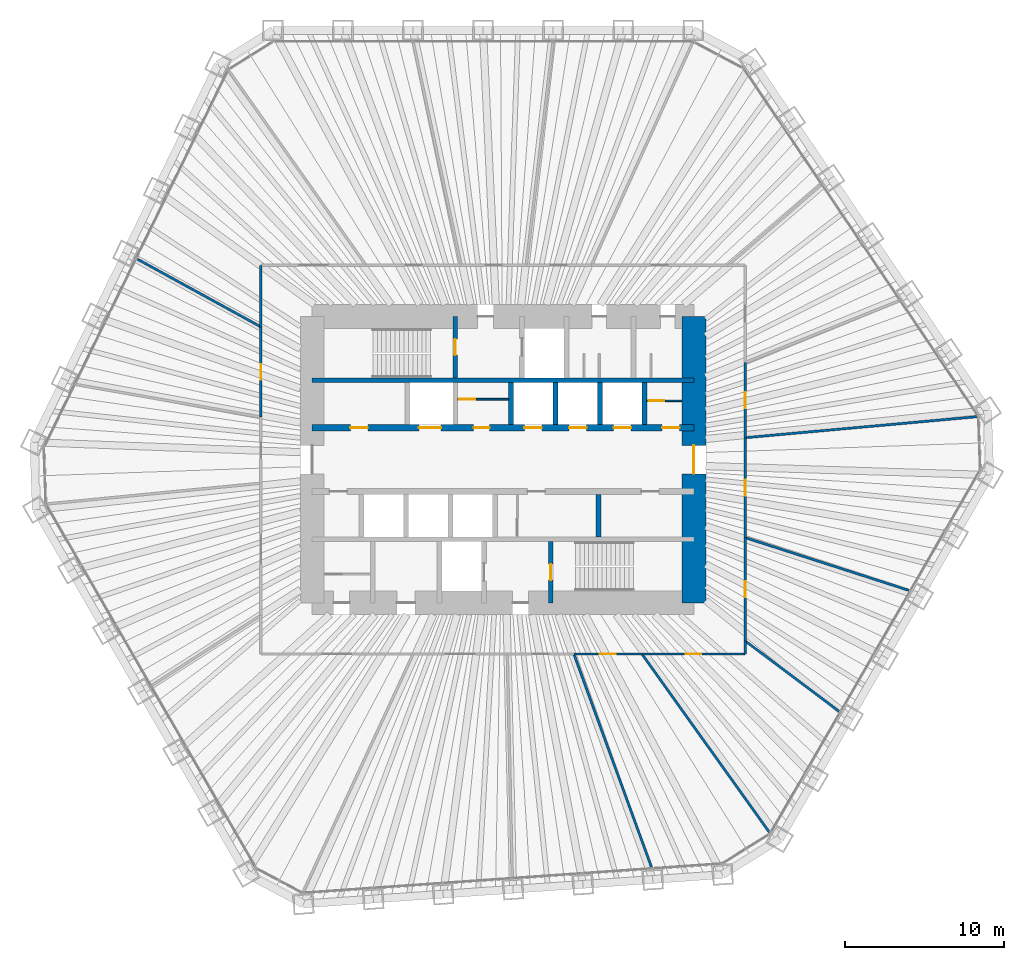
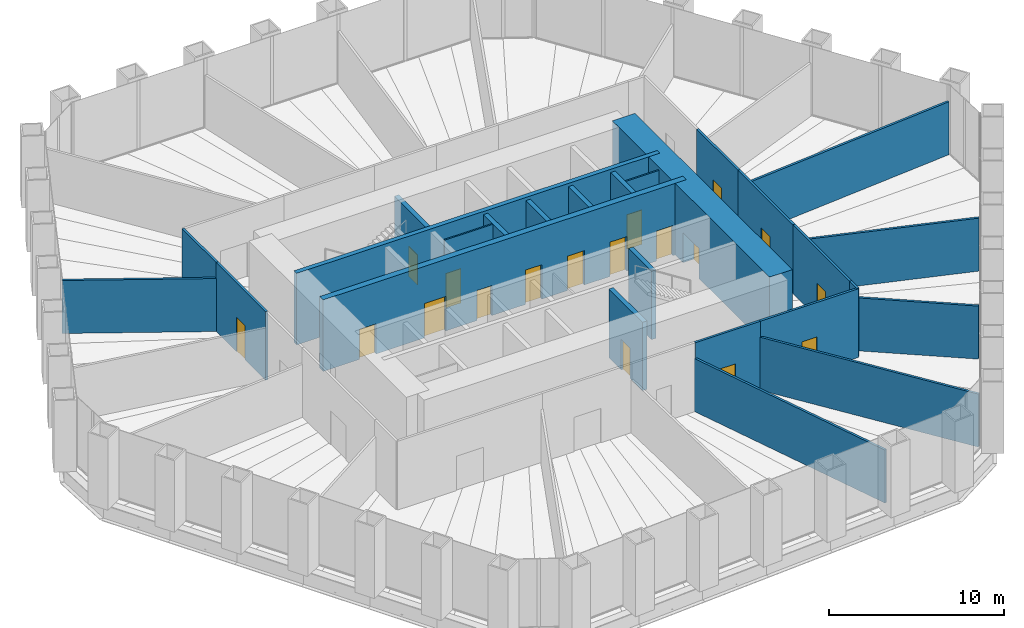
# One storey, part 11 of 13: 26 walls, 18 doors, 18 openings.
"""IFC4 building model written with IfcOpenShell, lengths in metres."""

import ifcopenshell
import ifcopenshell.guid

model = None  # the IFC model being written
_history = None  # IfcOwnerHistory: only IFC2X3 demands one
_inside = {}  # id of a spatial element -> (the spatial element, [elements in it])
_under = {}  # id of a project, library or spatial element -> (it, [spatial elements below it])
_declared = {}  # id of a project -> (the project, [libraries it declares])
_typed = {}  # id of a type object -> (the type object, [elements of that type])
_made_of = {}  # id of a material, layer set ... -> (it, [elements and type objects made of it])


def new_model(schema):
    """Start an empty IFC model of exactly this schema.

    Asked for "IFC4X3", IfcOpenShell would pick the latest addendum, in which some entities
    have other attributes; the version numbers below select the first issue.
    IFC2X3 requires an IfcOwnerHistory on every rooted entity: one is made here for all.
    """
    global model, _history
    if schema == "IFC4X3":
        model = ifcopenshell.file(schema_version=(4, 3, 0, 0))
    else:
        model = ifcopenshell.file(schema=schema)
    _inside.clear()
    _under.clear()
    _declared.clear()
    _typed.clear()
    _made_of.clear()
    _history = None
    if model.schema == "IFC2X3":
        org = make("IfcOrganization", Name="unknown")
        user = make(
            "IfcPersonAndOrganization",
            ThePerson=make("IfcPerson", FamilyName="unknown"),
            TheOrganization=org,
        )
        app = make(
            "IfcApplication",
            ApplicationDeveloper=org,
            Version="unknown",
            ApplicationFullName="unknown",
            ApplicationIdentifier="unknown",
        )
        _history = make(
            "IfcOwnerHistory",
            OwningUser=user,
            OwningApplication=app,
            ChangeAction="ADDED",
            CreationDate=0,
        )
    return model


def make(cls, **values):
    """One entity of the class cls with the attributes given. An attribute that is None is left unset."""
    return model.create_entity(
        cls, **{name: value for name, value in values.items() if value is not None}
    )


def rooted(cls, **values):
    """An entity with a GlobalId (a new one), such as an element, a storey or a relation."""
    return make(cls, GlobalId=ifcopenshell.guid.new(), OwnerHistory=_history, **values)


def si_unit(unit_type, name, prefix=None):
    """IfcSIUnit, for example si_unit("LENGTHUNIT", "METRE", prefix="MILLI")."""
    return make("IfcSIUnit", UnitType=unit_type, Prefix=prefix, Name=name)


def assignment(units):
    """IfcUnitAssignment: the units of a project."""
    return None if units is None else make("IfcUnitAssignment", Units=units)


def point(xyz):
    """IfcCartesianPoint."""
    return None if xyz is None else make("IfcCartesianPoint", Coordinates=xyz)


def direction(xyz):
    """IfcDirection."""
    return None if xyz is None else make("IfcDirection", DirectionRatios=xyz)


def frame(location, z_axis=None, x_axis=None):
    """IfcAxis2Placement3D, a coordinate frame: its origin and axes. An axis left out is left unset."""
    return make(
        "IfcAxis2Placement3D",
        Location=point(location),
        Axis=direction(z_axis),
        RefDirection=direction(x_axis),
    )


def frame_2d(location, x_axis=None):
    """IfcAxis2Placement2D, a coordinate frame in the plane: its origin and x axis."""
    return make(
        "IfcAxis2Placement2D", Location=point(location), RefDirection=direction(x_axis)
    )


def origin():
    """The frame at (0, 0, 0) with its axes left unset."""
    return frame((0.0, 0.0, 0.0))


def place(relative_to, where):
    """IfcLocalPlacement: puts the frame where relative to a parent placement (None: the world)."""
    return make(
        "IfcLocalPlacement", PlacementRelTo=relative_to, RelativePlacement=where
    )


def context(
    kind, dimensions, precision=None, world=None, true_north=None, identifier=None
):
    """IfcGeometricRepresentationContext, for example the 3D "Model" context."""
    return make(
        "IfcGeometricRepresentationContext",
        ContextIdentifier=identifier,
        ContextType=kind,
        CoordinateSpaceDimension=dimensions,
        Precision=precision,
        WorldCoordinateSystem=world,
        TrueNorth=true_north,
    )


def subcontext(parent, identifier, kind, view, scale=None):
    """IfcGeometricRepresentationSubContext, for example "Body" below "Model"."""
    return make(
        "IfcGeometricRepresentationSubContext",
        ContextIdentifier=identifier,
        ContextType=kind,
        ParentContext=parent,
        TargetScale=scale,
        TargetView=view,
    )


def project(units=None, contexts=None):
    """IfcProject with its units and contexts."""
    return rooted(
        "IfcProject",
        Name="project",
        RepresentationContexts=contexts,
        UnitsInContext=assignment(units),
    )


def spatial(cls, under=None, at=None, **own):
    """A site, building, storey or space (cls), placed at a placement, below another one or the project."""
    s = rooted(cls, ObjectPlacement=at, **own)
    if under is not None:
        _under.setdefault(under.id(), (under, []))[1].append(s)
    return s


def profile(cls, at=None, kind="AREA", **sizes):
    """A parametric profile (cls). Its sizes go by their IFC names, for example OverallWidth=200.0."""
    return make(cls, ProfileType=kind, Position=at, **sizes)


def rectangle(**sizes):
    """IfcRectangleProfileDef."""
    return profile("IfcRectangleProfileDef", **sizes)


def extrude(swept, where, along, depth):
    """IfcExtrudedAreaSolid: the profile swept, set in the frame where, extruded along a direction by depth."""
    return make(
        "IfcExtrudedAreaSolid",
        SweptArea=swept,
        Position=where,
        ExtrudedDirection=direction(along),
        Depth=depth,
    )


def shape(context_of_items, identifier, shape_type, items):
    """IfcShapeRepresentation: the items that make up one representation, for example the "Body"."""
    return make(
        "IfcShapeRepresentation",
        ContextOfItems=context_of_items,
        RepresentationIdentifier=identifier,
        RepresentationType=shape_type,
        Items=items,
    )


def material(Name=None, Category=None):
    """IfcMaterial."""
    return make("IfcMaterial", Name=Name, Category=Category)


def layer(
    of_material, thickness, ventilated=None, Name=None, Category=None, Priority=None
):
    """IfcMaterialLayer: one layer of a wall or slab, of a material (None: an air gap)."""
    return make(
        "IfcMaterialLayer",
        Material=of_material,
        LayerThickness=thickness,
        IsVentilated=ventilated,
        Name=Name,
        Category=Category,
        Priority=Priority,
    )


def layer_set(layers, Name=None):
    """IfcMaterialLayerSet."""
    return make("IfcMaterialLayerSet", MaterialLayers=layers, LayerSetName=Name)


def made_of(thing, what):
    """Note that an element or type object is made of a material, layer set ...; save() writes the relation."""
    if what is not None:
        _made_of.setdefault(what.id(), (what, []))[1].append(thing)
    return thing


def type_object(cls, material=None, **own):
    """A type object (cls), such as IfcWallType, which elements share."""
    return made_of(rooted(cls, **own), material)


def element(
    cls,
    number,
    at=None,
    inside=None,
    cuts=None,
    type_object=None,
    material=None,
    context=None,
    identifier="Body",
    shape_type=None,
    held_by="IfcProductDefinitionShape",
    body=None,
    shapes=None,
    **own,
):
    """One element of the class cls, such as IfcWall. Its Tag is "e" and its number.

    at: its placement. inside: the storey or other place that contains it. cuts: it is an
    opening in that element (IfcRelVoidsElement). A single representation is given by context,
    identifier, shape_type and body (its items); several are given by shapes. held_by: the class
    of the entity that holds the representations. save() writes the other relations.
    """
    e = rooted(cls, Tag="e%d" % number, ObjectPlacement=at, **own)
    if body is not None:
        shapes = [shape(context, identifier, shape_type, body)]
    if shapes is not None:
        e.Representation = make(held_by, Representations=shapes)
    if inside is not None:
        _inside.setdefault(inside.id(), (inside, []))[1].append(e)
    if cuts is not None:
        rooted(
            "IfcRelVoidsElement", RelatingBuildingElement=cuts, RelatedOpeningElement=e
        )
    if type_object is not None:
        _typed.setdefault(type_object.id(), (type_object, []))[1].append(e)
    return made_of(e, material)


def fill(opening, filler):
    """IfcRelFillsElement: the door or window that sits in an opening."""
    return rooted(
        "IfcRelFillsElement",
        RelatingOpeningElement=opening,
        RelatedBuildingElement=filler,
    )


def aggregate(whole, parts):
    """IfcRelAggregates: a whole, such as a stair, and the parts it consists of."""
    return rooted("IfcRelAggregates", RelatingObject=whole, RelatedObjects=parts)


def save(model, path):
    """Write the relations noted so far, then the file.

    IfcRelAggregates (storeys below a building ...), IfcRelContainedInSpatialStructure (elements
    in a storey), IfcRelDefinesByType, IfcRelAssociatesMaterial and IfcRelDeclares: one each for
    every whole, place, type object, material and project.
    """
    for whole, parts in _under.values():
        aggregate(whole, parts)
    for where, things in _inside.values():
        rooted(
            "IfcRelContainedInSpatialStructure",
            RelatedElements=things,
            RelatingStructure=where,
        )
    for kind, things in _typed.values():
        rooted("IfcRelDefinesByType", RelatedObjects=things, RelatingType=kind)
    for what, things in _made_of.values():
        rooted("IfcRelAssociatesMaterial", RelatedObjects=things, RelatingMaterial=what)
    for by, libraries in _declared.values():
        rooted("IfcRelDeclares", RelatingContext=by, RelatedDefinitions=libraries)
    model.write(path)


model = new_model("IFC4")

# Units and contexts
model_context = context("Model", 3, precision=1e-05, world=origin(), true_north=direction((0.0, 1.0)))
body_context = subcontext(model_context, "Body", "Model", "MODEL_VIEW")
ifc_project = project(units=[si_unit("LENGTHUNIT", "METRE"), si_unit("AREAUNIT", "SQUARE_METRE"), si_unit("VOLUMEUNIT", "CUBIC_METRE"), si_unit("PLANEANGLEUNIT", "RADIAN"), si_unit("MASSUNIT", "GRAM", prefix="KILO")], contexts=[model_context])

# Site, building, storey
site_placement = place(None, origin())
site = spatial("IfcSite", under=ifc_project, at=site_placement, CompositionType="ELEMENT")
building_placement = place(site_placement, origin())
building = spatial("IfcBuilding", under=site, at=building_placement, Name="Qingtian Harvest Tower", CompositionType="ELEMENT")
storey_placement = place(building_placement, frame((0.0, 0.0, 67.0)))
storey = spatial("IfcBuildingStorey", under=building, at=storey_placement, Name="L13", CompositionType="ELEMENT", Elevation=67.0)

# Wall
ifc_material_1 = material(Name="Concrete fc' 70 MPa", Category="concrete")
ifc_layer_1 = layer(ifc_material_1, 0.300048828125)
ifc_layer_set_1 = layer_set([ifc_layer_1], Name="Core inner wall RC5 300")
wall_type_1 = type_object("IfcWallType", Name="Core inner wall RC5 300", PredefinedType="SHEAR", material=ifc_layer_set_1)
wall_1_placement = place(storey_placement, frame((-12.0, 5.0, 0.0), z_axis=(0.0, 0.0, 1.0), x_axis=(1.0, 0.0, 0.0)))
element("IfcWall", 1, at=wall_1_placement, inside=storey, type_object=wall_type_1, Name="Core wall IN5 L13", PredefinedType="SHEAR", context=body_context, shape_type="SweptSolid", body=[
    extrude(rectangle(XDim=24.0, YDim=0.300048828125, at=frame_2d((12.0, 0.0))), origin(), (0.0, 0.0, 1.0), 5.0),
])

# Wall, openings, doors
ifc_material_2 = material(Name="Concrete fc' 70 MPa", Category="concrete")
ifc_layer_2 = layer(ifc_material_2, 0.39990234375)
ifc_layer_set_2 = layer_set([ifc_layer_2], Name="Core inner web RC6 400")
wall_type_2 = type_object("IfcWallType", Name="Core inner web RC6 400", PredefinedType="SHEAR", material=ifc_layer_set_2)
wall_2_placement = place(storey_placement, frame((-12.0, 2.0, 0.0), z_axis=(0.0, 0.0, 1.0), x_axis=(1.0, 0.0, 0.0)))
wall_2 = element("IfcWall", 2, at=wall_2_placement, inside=storey, type_object=wall_type_2, Name="Core wall IN2 L13", PredefinedType="SHEAR", context=body_context, shape_type="SweptSolid", body=[
    extrude(rectangle(XDim=24.0, YDim=0.39990234375, at=frame_2d((12.0, 0.0))), origin(), (0.0, 0.0, 1.0), 5.0),
])
opening_1_placement = place(wall_2_placement, frame((2.39990234375, 0.0, 0.0)))
opening_1 = element("IfcOpeningElement", 3, at=opening_1_placement, cuts=wall_2, Name="Opening FD4", PredefinedType="OPENING", context=body_context, shape_type="SweptSolid", body=[
    extrude(rectangle(XDim=1.10009765625, YDim=2.10009765625, at=frame_2d((0.550048828125, 1.050048828125))), frame((0.0, 0.2099609375, 0.0), z_axis=(0.0, -1.0, 0.0), x_axis=(1.0, 0.0, 0.0)), (0.0, 0.0, 1.0), 0.419921875),
])
opening_2_placement = place(wall_2_placement, frame((22.0, 0.0, 0.0)))
opening_2 = element("IfcOpeningElement", 4, at=opening_2_placement, cuts=wall_2, Name="Opening FD4", PredefinedType="OPENING", context=body_context, shape_type="SweptSolid", body=[
    extrude(rectangle(XDim=1.10009765625, YDim=2.10009765625, at=frame_2d((0.550048828125, 1.050048828125))), frame((0.0, 0.2099609375, 0.0), z_axis=(0.0, -1.0, 0.0), x_axis=(1.0, 0.0, 0.0)), (0.0, 0.0, 1.0), 0.419921875),
])
opening_3_placement = place(wall_2_placement, frame((10.14990234375, 0.0, 0.0)))
opening_3 = element("IfcOpeningElement", 5, at=opening_3_placement, cuts=wall_2, Name="Opening FD1", PredefinedType="OPENING", context=body_context, shape_type="SweptSolid", body=[
    extrude(rectangle(XDim=1.0, YDim=2.10009765625, at=frame_2d((0.5, 1.050048828125))), frame((0.0, 0.2099609375, 0.0), z_axis=(0.0, -1.0, 0.0), x_axis=(1.0, 0.0, 0.0)), (0.0, 0.0, 1.0), 0.419921875),
])
opening_4_placement = place(wall_2_placement, frame((6.699951171875, 0.0, 0.0)))
opening_4 = element("IfcOpeningElement", 6, at=opening_4_placement, cuts=wall_2, Name="Opening LD2", PredefinedType="OPENING", context=body_context, shape_type="SweptSolid", body=[
    extrude(rectangle(XDim=1.39990234375, YDim=2.39990234375, at=frame_2d((0.699951171875, 1.199951171875))), frame((0.0, 0.2099609375, 0.0), z_axis=(0.0, -1.0, 0.0), x_axis=(1.0, 0.0, 0.0)), (0.0, 0.0, 1.0), 0.419921875),
])
opening_5_placement = place(wall_2_placement, frame((13.35009765625, 0.0, 0.0)))
opening_5 = element("IfcOpeningElement", 7, at=opening_5_placement, cuts=wall_2, Name="Opening LD1", PredefinedType="OPENING", context=body_context, shape_type="SweptSolid", body=[
    extrude(rectangle(XDim=1.10009765625, YDim=2.39990234375, at=frame_2d((0.550048828125, 1.199951171875))), frame((0.0, 0.2099609375, 0.0), z_axis=(0.0, -1.0, 0.0), x_axis=(1.0, 0.0, 0.0)), (0.0, 0.0, 1.0), 0.419921875),
])
opening_6_placement = place(wall_2_placement, frame((16.14990234375, 0.0, 0.0)))
opening_6 = element("IfcOpeningElement", 8, at=opening_6_placement, cuts=wall_2, Name="Opening LD1", PredefinedType="OPENING", context=body_context, shape_type="SweptSolid", body=[
    extrude(rectangle(XDim=1.10009765625, YDim=2.39990234375, at=frame_2d((0.550048828125, 1.199951171875))), frame((0.0, 0.2099609375, 0.0), z_axis=(0.0, -1.0, 0.0), x_axis=(1.0, 0.0, 0.0)), (0.0, 0.0, 1.0), 0.419921875),
])
opening_7_placement = place(wall_2_placement, frame((18.949951171875, 0.0, 0.0)))
opening_7 = element("IfcOpeningElement", 9, at=opening_7_placement, cuts=wall_2, Name="Opening LD1", PredefinedType="OPENING", context=body_context, shape_type="SweptSolid", body=[
    extrude(rectangle(XDim=1.10009765625, YDim=2.39990234375, at=frame_2d((0.550048828125, 1.199951171875))), frame((0.0, 0.2099609375, 0.0), z_axis=(0.0, -1.0, 0.0), x_axis=(1.0, 0.0, 0.0)), (0.0, 0.0, 1.0), 0.419921875),
])
ifc_material_3 = material(Name="Steel-faced door leaf", Category="steel")
door_type_1 = type_object("IfcDoorType", Name="Fire door FD1 single 1 HR", OperationType="SINGLE_SWING_LEFT", PredefinedType="DOOR", material=ifc_material_3)
door_1_placement = place(opening_3_placement, origin())
door_1 = element("IfcDoor", 10, at=door_1_placement, inside=storey, type_object=door_type_1, Name="STA door L13", OperationType="SINGLE_SWING_RIGHT", OverallHeight=2.10009765625, OverallWidth=1.0, PredefinedType="DOOR", context=body_context, shape_type="SweptSolid", body=[
    extrude(rectangle(XDim=1.0, YDim=2.10009765625, at=frame_2d((0.5, 1.050048828125))), frame((0.0, 0.02490234375, 0.0), z_axis=(0.0, -1.0, 0.0), x_axis=(1.0, 0.0, 0.0)), (0.0, 0.0, 1.0), 0.050048828125),
])
fill(opening_3, door_1)
ifc_material_4 = material(Name="Steel-faced door leaf", Category="steel")
door_type_2 = type_object("IfcDoorType", Name="Fire door FD4 single 2 HR", OperationType="SINGLE_SWING_LEFT", PredefinedType="DOOR", material=ifc_material_4)
door_2_placement = place(opening_1_placement, origin())
door_2 = element("IfcDoor", 11, at=door_2_placement, inside=storey, type_object=door_type_2, Name="RA door L13", OperationType="SINGLE_SWING_LEFT", OverallHeight=2.10009765625, OverallWidth=1.10009765625, PredefinedType="DOOR", context=body_context, shape_type="SweptSolid", body=[
    extrude(rectangle(XDim=1.10009765625, YDim=2.10009765625, at=frame_2d((0.550048828125, 1.050048828125))), frame((0.0, 0.02490234375, 0.0), z_axis=(0.0, -1.0, 0.0), x_axis=(1.0, 0.0, 0.0)), (0.0, 0.0, 1.0), 0.050048828125),
])
fill(opening_1, door_2)
door_3_placement = place(opening_2_placement, origin())
door_3 = element("IfcDoor", 12, at=door_3_placement, inside=storey, type_object=door_type_2, Name="AHU door L13", OperationType="SINGLE_SWING_LEFT", OverallHeight=2.10009765625, OverallWidth=1.10009765625, PredefinedType="DOOR", context=body_context, shape_type="SweptSolid", body=[
    extrude(rectangle(XDim=1.10009765625, YDim=2.10009765625, at=frame_2d((0.550048828125, 1.050048828125))), frame((0.0, 0.02490234375, 0.0), z_axis=(0.0, -1.0, 0.0), x_axis=(1.0, 0.0, 0.0)), (0.0, 0.0, 1.0), 0.050048828125),
])
fill(opening_2, door_3)
ifc_material_5 = material(Name="Stainless steel lift landing door", Category="steel")
door_type_3 = type_object("IfcDoorType", Name="Goods lift landing door LD2 1 HR", OperationType="DOUBLE_DOOR_SLIDING", PredefinedType="DOOR", material=ifc_material_5)
door_4_placement = place(opening_4_placement, origin())
door_4 = element("IfcDoor", 13, at=door_4_placement, inside=storey, type_object=door_type_3, Name="GL1 landing door L13", OperationType="DOUBLE_DOOR_SLIDING", OverallHeight=2.39990234375, OverallWidth=1.39990234375, PredefinedType="DOOR", context=body_context, shape_type="SweptSolid", body=[
    extrude(rectangle(XDim=1.39990234375, YDim=2.39990234375, at=frame_2d((0.699951171875, 1.199951171875))), frame((0.0, 0.02490234375, 0.0), z_axis=(0.0, -1.0, 0.0), x_axis=(1.0, 0.0, 0.0)), (0.0, 0.0, 1.0), 0.050048828125),
])
fill(opening_4, door_4)
ifc_material_6 = material(Name="Stainless steel lift landing door", Category="steel")
door_type_4 = type_object("IfcDoorType", Name="Lift landing door LD1 1 HR", OperationType="DOUBLE_DOOR_SLIDING", PredefinedType="DOOR", material=ifc_material_6)
door_5_placement = place(opening_5_placement, origin())
door_5 = element("IfcDoor", 14, at=door_5_placement, inside=storey, type_object=door_type_4, Name="PLA1 landing door L13", OperationType="DOUBLE_DOOR_SLIDING", OverallHeight=2.39990234375, OverallWidth=1.10009765625, PredefinedType="DOOR", context=body_context, shape_type="SweptSolid", body=[
    extrude(rectangle(XDim=1.10009765625, YDim=2.39990234375, at=frame_2d((0.550048828125, 1.199951171875))), frame((0.0, 0.02490234375, 0.0), z_axis=(0.0, -1.0, 0.0), x_axis=(1.0, 0.0, 0.0)), (0.0, 0.0, 1.0), 0.050048828125),
])
fill(opening_5, door_5)
door_6_placement = place(opening_6_placement, origin())
door_6 = element("IfcDoor", 15, at=door_6_placement, inside=storey, type_object=door_type_4, Name="PLA2 landing door L13", OperationType="DOUBLE_DOOR_SLIDING", OverallHeight=2.39990234375, OverallWidth=1.10009765625, PredefinedType="DOOR", context=body_context, shape_type="SweptSolid", body=[
    extrude(rectangle(XDim=1.10009765625, YDim=2.39990234375, at=frame_2d((0.550048828125, 1.199951171875))), frame((0.0, 0.02490234375, 0.0), z_axis=(0.0, -1.0, 0.0), x_axis=(1.0, 0.0, 0.0)), (0.0, 0.0, 1.0), 0.050048828125),
])
fill(opening_6, door_6)
door_7_placement = place(opening_7_placement, origin())
door_7 = element("IfcDoor", 16, at=door_7_placement, inside=storey, type_object=door_type_4, Name="PLA3 landing door L13", OperationType="DOUBLE_DOOR_SLIDING", OverallHeight=2.39990234375, OverallWidth=1.10009765625, PredefinedType="DOOR", context=body_context, shape_type="SweptSolid", body=[
    extrude(rectangle(XDim=1.10009765625, YDim=2.39990234375, at=frame_2d((0.550048828125, 1.199951171875))), frame((0.0, 0.02490234375, 0.0), z_axis=(0.0, -1.0, 0.0), x_axis=(1.0, 0.0, 0.0)), (0.0, 0.0, 1.0), 0.050048828125),
])
fill(opening_7, door_7)

# Wall, opening, door
ifc_material_7 = material(Name="Precast concrete shaft panel", Category="concrete")
ifc_layer_3 = layer(ifc_material_7, 0.300048828125)
ifc_layer_set_3 = layer_set([ifc_layer_3], Name="Core shaft partition SW1 300")
wall_type_3 = type_object("IfcWallType", Name="Core shaft partition SW1 300", PredefinedType="PARTITIONING", material=ifc_layer_set_3)
wall_3_placement = place(storey_placement, frame((-3.0, 5.14990234375, 0.0), z_axis=(0.0, 0.0, 1.0), x_axis=(0.0, 1.0, 0.0)))
wall_3 = element("IfcWall", 17, at=wall_3_placement, inside=storey, type_object=wall_type_3, Name="Core shaft partition XN1 L13", PredefinedType="PARTITIONING", context=body_context, shape_type="SweptSolid", body=[
    extrude(rectangle(XDim=3.85009765625, YDim=0.300048828125, at=frame_2d((1.925048828125, 0.0))), origin(), (0.0, 0.0, 1.0), 4.780029296875),
])
opening_8_placement = place(wall_3_placement, frame((1.425048828125, 0.0, 0.0)))
opening_8 = element("IfcOpeningElement", 18, at=opening_8_placement, cuts=wall_3, Name="Opening FD1", PredefinedType="OPENING", context=body_context, shape_type="SweptSolid", body=[
    extrude(rectangle(XDim=1.0, YDim=2.10009765625, at=frame_2d((0.5, 1.050048828125))), frame((0.0, 0.159912109375, 0.0), z_axis=(0.0, -1.0, 0.0), x_axis=(1.0, 0.0, 0.0)), (0.0, 0.0, 1.0), 0.320068359375),
])
door_8_placement = place(opening_8_placement, origin())
door_8 = element("IfcDoor", 19, at=door_8_placement, inside=storey, type_object=door_type_1, Name="S1 door L13", OperationType="SINGLE_SWING_LEFT", OverallHeight=2.10009765625, OverallWidth=1.0, PredefinedType="DOOR", context=body_context, shape_type="SweptSolid", body=[
    extrude(rectangle(XDim=1.0, YDim=2.10009765625, at=frame_2d((0.5, 1.050048828125))), frame((0.0, 0.02490234375, 0.0), z_axis=(0.0, -1.0, 0.0), x_axis=(1.0, 0.0, 0.0)), (0.0, 0.0, 1.0), 0.050048828125),
])
fill(opening_8, door_8)

# Walls
for number, where, z_axis, x_axis, name in (
    (20, (0.5, 2.199951171875, 0.0), (0.0, 0.0, 1.0), (0.0, 1.0, 0.0), "Core shaft partition XA3 L13"),
    (21, (3.300048828125, 2.199951171875, 0.0), (0.0, 0.0, 1.0), (0.0, 1.0, 0.0), "Core shaft partition XA4 L13"),
    (22, (6.10009765625, 2.199951171875, 0.0), (0.0, 0.0, 1.0), (0.0, 1.0, 0.0), "Core shaft partition XA5 L13"),
    (23, (8.89990234375, 2.199951171875, 0.0), (0.0, 0.0, 1.0), (0.0, 1.0, 0.0), "Core shaft partition XA6 L13"),
    (24, (6.0, -4.85009765625, 0.0), (0.0, 0.0, 1.0), (0.0, 1.0, 0.0), "Core shaft partition XB5 L13"),
):
    element("IfcWall", number, at=place(storey_placement, frame(where, z_axis=z_axis, x_axis=x_axis)), inside=storey, type_object=wall_type_3, Name=name, PredefinedType="PARTITIONING", context=body_context, shape_type="SweptSolid", body=[
        extrude(rectangle(XDim=2.650146484375, YDim=0.300048828125, at=frame_2d((1.3251953125, 0.0))), origin(), (0.0, 0.0, 1.0), 4.780029296875),
    ])

# Wall, opening, door
wall_4_placement = place(storey_placement, frame((3.0, -9.0, 0.0), z_axis=(0.0, 0.0, 1.0), x_axis=(0.0, 1.0, 0.0)))
wall_4 = element("IfcWall", 25, at=wall_4_placement, inside=storey, type_object=wall_type_3, Name="Core shaft partition XS4 L13", PredefinedType="PARTITIONING", context=body_context, shape_type="SweptSolid", body=[
    extrude(rectangle(XDim=3.85009765625, YDim=0.300048828125, at=frame_2d((1.925048828125, 0.0))), origin(), (0.0, 0.0, 1.0), 4.780029296875),
])
opening_9_placement = place(wall_4_placement, frame((1.425048828125, 0.0, 0.0)))
opening_9 = element("IfcOpeningElement", 26, at=opening_9_placement, cuts=wall_4, Name="Opening FD1", PredefinedType="OPENING", context=body_context, shape_type="SweptSolid", body=[
    extrude(rectangle(XDim=1.0, YDim=2.10009765625, at=frame_2d((0.5, 1.050048828125))), frame((0.0, 0.159912109375, 0.0), z_axis=(0.0, -1.0, 0.0), x_axis=(1.0, 0.0, 0.0)), (0.0, 0.0, 1.0), 0.320068359375),
])
door_9_placement = place(opening_9_placement, origin())
door_9 = element("IfcDoor", 27, at=door_9_placement, inside=storey, type_object=door_type_1, Name="S2 door L13", OperationType="SINGLE_SWING_RIGHT", OverallHeight=2.10009765625, OverallWidth=1.0, PredefinedType="DOOR", context=body_context, shape_type="SweptSolid", body=[
    extrude(rectangle(XDim=1.0, YDim=2.10009765625, at=frame_2d((0.5, 1.050048828125))), frame((0.0, 0.02490234375, 0.0), z_axis=(0.0, -1.0, 0.0), x_axis=(1.0, 0.0, 0.0)), (0.0, 0.0, 1.0), 0.050048828125),
])
fill(opening_9, door_9)

ifc_material_8 = material(Name="Concrete fc' 70 MPa", Category="concrete")
ifc_layer_4 = layer(ifc_material_8, 1.5)
ifc_layer_set_4 = layer_set([ifc_layer_4], Name="Core wall RC1 1500")
wall_type_4 = type_object("IfcWallType", Name="Core wall RC1 1500", PredefinedType="SHEAR", material=ifc_layer_set_4)
wall_5_placement = place(storey_placement, frame((12.0, -9.0, 0.0), z_axis=(0.0, 0.0, 1.0), x_axis=(0.0, 1.0, 0.0)))
wall_5 = element("IfcWall", 28, at=wall_5_placement, inside=storey, type_object=wall_type_4, Name="Core wall CE L13", PredefinedType="SHEAR", context=body_context, shape_type="SweptSolid", body=[
    extrude(rectangle(XDim=18.0, YDim=1.5, at=frame_2d((9.0, 0.0))), origin(), (0.0, 0.0, 1.0), 5.0),
])
opening_10_placement = place(wall_5_placement, frame((8.10009765625, 0.0, 0.0)))
opening_10 = element("IfcOpeningElement", 29, at=opening_10_placement, cuts=wall_5, Name="Opening FD2", PredefinedType="OPENING", context=body_context, shape_type="SweptSolid", body=[
    extrude(rectangle(XDim=1.800048828125, YDim=2.10009765625, at=frame_2d((0.89990234375, 1.050048828125))), frame((0.0, 0.760009765625, 0.0), z_axis=(0.0, -1.0, 0.0), x_axis=(1.0, 0.0, 0.0)), (0.0, 0.0, 1.0), 1.52001953125),
])
ifc_material_9 = material(Name="Steel-faced door leaf", Category="steel")
door_type_5 = type_object("IfcDoorType", Name="Fire door FD2 double 1 HR", OperationType="DOUBLE_DOOR_DOUBLE_SWING", PredefinedType="DOOR", material=ifc_material_9)
door_10_placement = place(opening_10_placement, origin())
door_10 = element("IfcDoor", 30, at=door_10_placement, inside=storey, type_object=door_type_5, Name="LOBBY-E door L13", OperationType="DOUBLE_DOOR_DOUBLE_SWING", OverallHeight=2.10009765625, OverallWidth=1.800048828125, PredefinedType="DOOR", context=body_context, shape_type="SweptSolid", body=[
    extrude(rectangle(XDim=1.800048828125, YDim=2.10009765625, at=frame_2d((0.89990234375, 1.050048828125))), frame((0.0, 0.02490234375, 0.0), z_axis=(0.0, -1.0, 0.0), x_axis=(1.0, 0.0, 0.0)), (0.0, 0.0, 1.0), 0.050048828125),
])
fill(opening_10, door_10)

ifc_material_10 = material(Name="Gypsum board on steel studs", Category="steel")
ifc_layer_5 = layer(ifc_material_10, 0.14990234375)
ifc_layer_set_5 = layer_set([ifc_layer_5], Name="Partition PT1 150")
wall_type_5 = type_object("IfcWallType", Name="Partition PT1 150", PredefinedType="PARTITIONING", material=ifc_layer_set_5)
wall_6_placement = place(storey_placement, frame((15.22509765625, 6.10498046875, 0.0), z_axis=(0.0, 0.0, 1.0), x_axis=(0.0, -1.0, 0.0)))
wall_6 = element("IfcWall", 31, at=wall_6_placement, inside=storey, type_object=wall_type_5, Name="Mushroom growing room wall L13", PredefinedType="PARTITIONING", context=body_context, shape_type="SweptSolid", body=[
    extrude(rectangle(XDim=4.72509765625, YDim=0.14990234375, at=frame_2d((2.362548828125, 0.0))), origin(), (0.0, 0.0, 1.0), 4.800048828125),
])
opening_11_placement = place(wall_6_placement, frame((1.862548828125, 0.0, 0.0)))
opening_11 = element("IfcOpeningElement", 32, at=opening_11_placement, cuts=wall_6, Name="Opening D2", PredefinedType="OPENING", context=body_context, shape_type="SweptSolid", body=[
    extrude(rectangle(XDim=1.0, YDim=2.39990234375, at=frame_2d((0.5, 1.199951171875))), frame((0.0, 0.0849609375, 0.0), z_axis=(0.0, -1.0, 0.0), x_axis=(1.0, 0.0, 0.0)), (0.0, 0.0, 1.0), 0.169921875),
])
ifc_material_11 = material(Name="Laminated timber door leaf", Category="wood")
door_type_6 = type_object("IfcDoorType", Name="Room door D2 single", OperationType="SINGLE_SWING_LEFT", PredefinedType="DOOR", material=ifc_material_11)
door_11_placement = place(opening_11_placement, origin())
door_11 = element("IfcDoor", 33, at=door_11_placement, inside=storey, type_object=door_type_6, Name="Mushroom growing room door L13", OperationType="SINGLE_SWING_RIGHT", OverallHeight=2.39990234375, OverallWidth=1.0, PredefinedType="DOOR", context=body_context, shape_type="SweptSolid", body=[
    extrude(rectangle(XDim=1.0, YDim=2.39990234375, at=frame_2d((0.5, 1.199951171875))), frame((0.0, 0.02490234375, 0.0), z_axis=(0.0, -1.0, 0.0), x_axis=(1.0, 0.0, 0.0)), (0.0, 0.0, 1.0), 0.050048828125),
])
fill(opening_11, door_11)

# Wall
wall_7_placement = place(storey_placement, frame((29.79638671875, 2.700439453125, 0.0), z_axis=(0.0, 0.0, 1.0), x_axis=(-0.995918470907, -0.090257405823, 0.0)))
element("IfcWall", 34, at=wall_7_placement, inside=storey, type_object=wall_type_5, Name="Spawn room wall L13", PredefinedType="PARTITIONING", context=body_context, shape_type="SweptSolid", body=[
    extrude(rectangle(XDim=14.631103515625, YDim=0.14990234375, at=frame_2d((7.3154296875, 0.0))), origin(), (0.0, 0.0, 1.0), 3.699951171875),
])

# Wall, opening, door
wall_8_placement = place(storey_placement, frame((15.22509765625, 1.3798828125, 0.0), z_axis=(0.0, 0.0, 1.0), x_axis=(0.0, -1.0, 0.0)))
wall_8 = element("IfcWall", 35, at=wall_8_placement, inside=storey, type_object=wall_type_5, Name="Spawn room wall L13", PredefinedType="PARTITIONING", context=body_context, shape_type="SweptSolid", body=[
    extrude(rectangle(XDim=6.28271484375, YDim=0.14990234375, at=frame_2d((3.141357421875, 0.0))), origin(), (0.0, 0.0, 1.0), 4.800048828125),
])
opening_12_placement = place(wall_8_placement, frame((2.641357421875, 0.0, 0.0)))
opening_12 = element("IfcOpeningElement", 36, at=opening_12_placement, cuts=wall_8, Name="Opening D2", PredefinedType="OPENING", context=body_context, shape_type="SweptSolid", body=[
    extrude(rectangle(XDim=1.0, YDim=2.39990234375, at=frame_2d((0.5, 1.199951171875))), frame((0.0, 0.0849609375, 0.0), z_axis=(0.0, -1.0, 0.0), x_axis=(1.0, 0.0, 0.0)), (0.0, 0.0, 1.0), 0.169921875),
])
door_12_placement = place(opening_12_placement, origin())
door_12 = element("IfcDoor", 37, at=door_12_placement, inside=storey, type_object=door_type_6, Name="Spawn room door L13", OperationType="SINGLE_SWING_RIGHT", OverallHeight=2.39990234375, OverallWidth=1.0, PredefinedType="DOOR", context=body_context, shape_type="SweptSolid", body=[
    extrude(rectangle(XDim=1.0, YDim=2.39990234375, at=frame_2d((0.5, 1.199951171875))), frame((0.0, 0.02490234375, 0.0), z_axis=(0.0, -1.0, 0.0), x_axis=(1.0, 0.0, 0.0)), (0.0, 0.0, 1.0), 0.050048828125),
])
fill(opening_12, door_12)

# Wall
wall_9_placement = place(storey_placement, frame((25.512451171875, -8.215576171875, 0.0), z_axis=(0.0, 0.0, 1.0), x_axis=(-0.95186413264, 0.306520265225, 0.0)))
element("IfcWall", 38, at=wall_9_placement, inside=storey, type_object=wall_type_5, Name="Mushroom growing room wall L13", PredefinedType="PARTITIONING", context=body_context, shape_type="SweptSolid", body=[
    extrude(rectangle(XDim=10.8076171875, YDim=0.14990234375, at=frame_2d((5.40380859375, 0.0))), origin(), (0.0, 0.0, 1.0), 3.699951171875),
])

# Wall, opening, door
wall_10_placement = place(storey_placement, frame((15.22509765625, -4.90283203125, 0.0), z_axis=(0.0, 0.0, 1.0), x_axis=(0.0, -1.0, 0.0)))
wall_10 = element("IfcWall", 39, at=wall_10_placement, inside=storey, type_object=wall_type_5, Name="Mushroom growing room wall L13", PredefinedType="PARTITIONING", context=body_context, shape_type="SweptSolid", body=[
    extrude(rectangle(XDim=6.49658203125, YDim=0.14990234375, at=frame_2d((3.248291015625, 0.0))), origin(), (0.0, 0.0, 1.0), 4.800048828125),
])
opening_13_placement = place(wall_10_placement, frame((2.748291015625, 0.0, 0.0)))
opening_13 = element("IfcOpeningElement", 40, at=opening_13_placement, cuts=wall_10, Name="Opening D2", PredefinedType="OPENING", context=body_context, shape_type="SweptSolid", body=[
    extrude(rectangle(XDim=1.0, YDim=2.39990234375, at=frame_2d((0.5, 1.199951171875))), frame((0.0, 0.0849609375, 0.0), z_axis=(0.0, -1.0, 0.0), x_axis=(1.0, 0.0, 0.0)), (0.0, 0.0, 1.0), 0.169921875),
])
door_13_placement = place(opening_13_placement, origin())
door_13 = element("IfcDoor", 41, at=door_13_placement, inside=storey, type_object=door_type_6, Name="Mushroom growing room door L13", OperationType="SINGLE_SWING_RIGHT", OverallHeight=2.39990234375, OverallWidth=1.0, PredefinedType="DOOR", context=body_context, shape_type="SweptSolid", body=[
    extrude(rectangle(XDim=1.0, YDim=2.39990234375, at=frame_2d((0.5, 1.199951171875))), frame((0.0, 0.02490234375, 0.0), z_axis=(0.0, -1.0, 0.0), x_axis=(1.0, 0.0, 0.0)), (0.0, 0.0, 1.0), 0.050048828125),
])
fill(opening_13, door_13)

# Walls
wall_11_placement = place(storey_placement, frame((21.123046875, -15.8154296875, 0.0), z_axis=(0.0, 0.0, 1.0), x_axis=(-0.800484840692, 0.599353001012, 0.0)))
element("IfcWall", 42, at=wall_11_placement, inside=storey, type_object=wall_type_5, Name="Mushroom growing room wall L13", PredefinedType="PARTITIONING", context=body_context, shape_type="SweptSolid", body=[
    extrude(rectangle(XDim=7.367919921875, YDim=0.14990234375, at=frame_2d((3.68408203125, 0.0))), origin(), (0.0, 0.0, 1.0), 3.699951171875),
])
wall_12_placement = place(storey_placement, frame((15.22509765625, -11.3994140625, 0.0), z_axis=(0.0, 0.0, 1.0), x_axis=(0.0, -1.0, 0.0)))
element("IfcWall", 43, at=wall_12_placement, inside=storey, type_object=wall_type_5, Name="Mushroom growing room wall L13", PredefinedType="PARTITIONING", context=body_context, shape_type="SweptSolid", body=[
    extrude(rectangle(XDim=0.82568359375, YDim=0.14990234375, at=frame_2d((0.412841796875, 0.0))), origin(), (0.0, 0.0, 1.0), 4.800048828125),
])

# Wall, opening, door
wall_13_placement = place(storey_placement, frame((15.22509765625, -12.22509765625, 0.0), z_axis=(0.0, 0.0, 1.0), x_axis=(-1.0, 0.0, 0.0)))
wall_13 = element("IfcWall", 44, at=wall_13_placement, inside=storey, type_object=wall_type_5, Name="Mushroom growing room wall L13", PredefinedType="PARTITIONING", context=body_context, shape_type="SweptSolid", body=[
    extrude(rectangle(XDim=6.488037109375, YDim=0.14990234375, at=frame_2d((3.244140625, 0.0))), origin(), (0.0, 0.0, 1.0), 4.800048828125),
])
opening_14_placement = place(wall_13_placement, frame((2.743896484375, 0.0, 0.0)))
opening_14 = element("IfcOpeningElement", 45, at=opening_14_placement, cuts=wall_13, Name="Opening D2", PredefinedType="OPENING", context=body_context, shape_type="SweptSolid", body=[
    extrude(rectangle(XDim=1.0, YDim=2.39990234375, at=frame_2d((0.5, 1.199951171875))), frame((0.0, 0.0849609375, 0.0), z_axis=(0.0, -1.0, 0.0), x_axis=(1.0, 0.0, 0.0)), (0.0, 0.0, 1.0), 0.169921875),
])
door_14_placement = place(opening_14_placement, origin())
door_14 = element("IfcDoor", 46, at=door_14_placement, inside=storey, type_object=door_type_6, Name="Mushroom growing room door L13", OperationType="SINGLE_SWING_LEFT", OverallHeight=2.39990234375, OverallWidth=1.0, PredefinedType="DOOR", context=body_context, shape_type="SweptSolid", body=[
    extrude(rectangle(XDim=1.0, YDim=2.39990234375, at=frame_2d((0.5, 1.199951171875))), frame((0.0, 0.02490234375, 0.0), z_axis=(0.0, -1.0, 0.0), x_axis=(1.0, 0.0, 0.0)), (0.0, 0.0, 1.0), 0.050048828125),
])
fill(opening_14, door_14)

# Wall
wall_14_placement = place(storey_placement, frame((16.740234375, -23.423095703125, 0.0), z_axis=(0.0, 0.0, 1.0), x_axis=(-0.581459653783, 0.813575239927, 0.0)))
element("IfcWall", 47, at=wall_14_placement, inside=storey, type_object=wall_type_5, Name="Nutrient dosing room wall L13", PredefinedType="PARTITIONING", context=body_context, shape_type="SweptSolid", body=[
    extrude(rectangle(XDim=13.763916015625, YDim=0.14990234375, at=frame_2d((6.8818359375, 0.0))), origin(), (0.0, 0.0, 1.0), 3.699951171875),
])

# Wall, opening, door
wall_15_placement = place(storey_placement, frame((8.737060546875, -12.22509765625, 0.0), z_axis=(0.0, 0.0, 1.0), x_axis=(-1.0, 0.0, 0.0)))
wall_15 = element("IfcWall", 48, at=wall_15_placement, inside=storey, type_object=wall_type_5, Name="Nutrient dosing room wall L13", PredefinedType="PARTITIONING", context=body_context, shape_type="SweptSolid", body=[
    extrude(rectangle(XDim=4.282470703125, YDim=0.14990234375, at=frame_2d((2.14111328125, 0.0))), origin(), (0.0, 0.0, 1.0), 4.800048828125),
])
opening_15_placement = place(wall_15_placement, frame((1.641357421875, 0.0, 0.0)))
opening_15 = element("IfcOpeningElement", 49, at=opening_15_placement, cuts=wall_15, Name="Opening D2", PredefinedType="OPENING", context=body_context, shape_type="SweptSolid", body=[
    extrude(rectangle(XDim=1.0, YDim=2.39990234375, at=frame_2d((0.5, 1.199951171875))), frame((0.0, 0.0849609375, 0.0), z_axis=(0.0, -1.0, 0.0), x_axis=(1.0, 0.0, 0.0)), (0.0, 0.0, 1.0), 0.169921875),
])
door_15_placement = place(opening_15_placement, origin())
door_15 = element("IfcDoor", 50, at=door_15_placement, inside=storey, type_object=door_type_6, Name="Nutrient dosing room door L13", OperationType="SINGLE_SWING_LEFT", OverallHeight=2.39990234375, OverallWidth=1.0, PredefinedType="DOOR", context=body_context, shape_type="SweptSolid", body=[
    extrude(rectangle(XDim=1.0, YDim=2.39990234375, at=frame_2d((0.5, 1.199951171875))), frame((0.0, 0.02490234375, 0.0), z_axis=(0.0, -1.0, 0.0), x_axis=(1.0, 0.0, 0.0)), (0.0, 0.0, 1.0), 0.050048828125),
])
fill(opening_15, door_15)

# Wall
wall_16_placement = place(storey_placement, frame((9.33349609375, -25.615234375, 0.0), z_axis=(0.0, 0.0, 1.0), x_axis=(-0.342348208267, 0.939573150051, 0.0)))
element("IfcWall", 51, at=wall_16_placement, inside=storey, type_object=wall_type_5, Name="Mushroom growing room wall L13", PredefinedType="PARTITIONING", context=body_context, shape_type="SweptSolid", body=[
    extrude(rectangle(XDim=14.251220703125, YDim=0.14990234375, at=frame_2d((7.12548828125, 0.0))), origin(), (0.0, 0.0, 1.0), 3.699951171875),
])

# Wall, opening, door
wall_17_placement = place(storey_placement, frame((-15.22509765625, 2.678955078125, 0.0), z_axis=(0.0, 0.0, 1.0), x_axis=(0.0, 1.0, 0.0)))
wall_17 = element("IfcWall", 52, at=wall_17_placement, inside=storey, type_object=wall_type_5, Name="Harvest wash room wall L13", PredefinedType="PARTITIONING", context=body_context, shape_type="SweptSolid", body=[
    extrude(rectangle(XDim=5.66943359375, YDim=0.14990234375, at=frame_2d((2.834716796875, 0.0))), origin(), (0.0, 0.0, 1.0), 4.800048828125),
])
opening_16_placement = place(wall_17_placement, frame((2.334716796875, 0.0, 0.0)))
opening_16 = element("IfcOpeningElement", 53, at=opening_16_placement, cuts=wall_17, Name="Opening D2", PredefinedType="OPENING", context=body_context, shape_type="SweptSolid", body=[
    extrude(rectangle(XDim=1.0, YDim=2.39990234375, at=frame_2d((0.5, 1.199951171875))), frame((0.0, 0.0849609375, 0.0), z_axis=(0.0, -1.0, 0.0), x_axis=(1.0, 0.0, 0.0)), (0.0, 0.0, 1.0), 0.169921875),
])
door_16_placement = place(opening_16_placement, origin())
door_16 = element("IfcDoor", 54, at=door_16_placement, inside=storey, type_object=door_type_6, Name="Harvest wash room door L13", OperationType="SINGLE_SWING_RIGHT", OverallHeight=2.39990234375, OverallWidth=1.0, PredefinedType="DOOR", context=body_context, shape_type="SweptSolid", body=[
    extrude(rectangle(XDim=1.0, YDim=2.39990234375, at=frame_2d((0.5, 1.199951171875))), frame((0.0, 0.02490234375, 0.0), z_axis=(0.0, -1.0, 0.0), x_axis=(1.0, 0.0, 0.0)), (0.0, 0.0, 1.0), 0.050048828125),
])
fill(opening_16, door_16)

# Walls
wall_18_placement = place(storey_placement, frame((-22.999267578125, 12.611572265625, 0.0), z_axis=(0.0, 0.0, 1.0), x_axis=(0.876815779006, -0.480826465251, 0.0)))
element("IfcWall", 55, at=wall_18_placement, inside=storey, type_object=wall_type_5, Name="Mushroom growing room wall L13", PredefinedType="PARTITIONING", context=body_context, shape_type="SweptSolid", body=[
    extrude(rectangle(XDim=8.866455078125, YDim=0.14990234375, at=frame_2d((4.43310546875, 0.0))), origin(), (0.0, 0.0, 1.0), 3.699951171875),
])
wall_19_placement = place(storey_placement, frame((-15.22509765625, 8.348388671875, 0.0), z_axis=(0.0, 0.0, 1.0), x_axis=(0.0, 1.0, 0.0)))
element("IfcWall", 56, at=wall_19_placement, inside=storey, type_object=wall_type_5, Name="Mushroom growing room wall L13", PredefinedType="PARTITIONING", context=body_context, shape_type="SweptSolid", body=[
    extrude(rectangle(XDim=3.876708984375, YDim=0.14990234375, at=frame_2d((1.9384765625, 0.0))), origin(), (0.0, 0.0, 1.0), 4.800048828125),
])

# Wall, opening, door
ifc_material_12 = material(Name="Concrete block partition", Category="concrete")
ifc_layer_6 = layer(ifc_material_12, 0.10009765625)
ifc_layer_set_6 = layer_set([ifc_layer_6], Name="Store partition PT3 100")
wall_type_6 = type_object("IfcWallType", Name="Store partition PT3 100", PredefinedType="PARTITIONING", material=ifc_layer_set_6)
wall_20_placement = place(storey_placement, frame((-2.85009765625, 3.800048828125, 0.0), z_axis=(0.0, 0.0, 1.0), x_axis=(1.0, 0.0, 0.0)))
wall_20 = element("IfcWall", 57, at=wall_20_placement, inside=storey, type_object=wall_type_6, Name="Tool store wall L13", PredefinedType="PARTITIONING", context=body_context, shape_type="SweptSolid", body=[
    extrude(rectangle(XDim=3.2001953125, YDim=0.10009765625, at=frame_2d((1.60009765625, 0.0))), origin(), (0.0, 0.0, 1.0), 4.780029296875),
])
opening_17_placement = place(wall_20_placement, frame((0.10009765625, 0.0, 0.0)))
opening_17 = element("IfcOpeningElement", 58, at=opening_17_placement, cuts=wall_20, Name="Opening D2", PredefinedType="OPENING", context=body_context, shape_type="SweptSolid", body=[
    extrude(rectangle(XDim=1.0, YDim=2.39990234375, at=frame_2d((0.5, 1.199951171875))), frame((0.0, 0.06005859375, 0.0), z_axis=(0.0, -1.0, 0.0), x_axis=(1.0, 0.0, 0.0)), (0.0, 0.0, 1.0), 0.1201171875),
])
door_17_placement = place(opening_17_placement, origin())
door_17 = element("IfcDoor", 59, at=door_17_placement, inside=storey, type_object=door_type_6, Name="Tool store door L13", OperationType="SINGLE_SWING_RIGHT", OverallHeight=2.39990234375, OverallWidth=1.0, PredefinedType="DOOR", context=body_context, shape_type="SweptSolid", body=[
    extrude(rectangle(XDim=1.0, YDim=2.39990234375, at=frame_2d((0.5, 1.199951171875))), frame((0.0, 0.02490234375, 0.0), z_axis=(0.0, -1.0, 0.0), x_axis=(1.0, 0.0, 0.0)), (0.0, 0.0, 1.0), 0.050048828125),
])
fill(opening_17, door_17)

wall_21_placement = place(storey_placement, frame((9.050048828125, 3.699951171875, 0.0), z_axis=(0.0, 0.0, 1.0), x_axis=(1.0, 0.0, 0.0)))
wall_21 = element("IfcWall", 60, at=wall_21_placement, inside=storey, type_object=wall_type_6, Name="Filter plant room wall L13", PredefinedType="PARTITIONING", context=body_context, shape_type="SweptSolid", body=[
    extrude(rectangle(XDim=2.199951171875, YDim=0.10009765625, at=frame_2d((1.10009765625, 0.0))), origin(), (0.0, 0.0, 1.0), 4.780029296875),
])
opening_18_placement = place(wall_21_placement, frame((0.10009765625, 0.0, 0.0)))
opening_18 = element("IfcOpeningElement", 61, at=opening_18_placement, cuts=wall_21, Name="Opening D2", PredefinedType="OPENING", context=body_context, shape_type="SweptSolid", body=[
    extrude(rectangle(XDim=1.0, YDim=2.39990234375, at=frame_2d((0.5, 1.199951171875))), frame((0.0, 0.06005859375, 0.0), z_axis=(0.0, -1.0, 0.0), x_axis=(1.0, 0.0, 0.0)), (0.0, 0.0, 1.0), 0.1201171875),
])
door_18_placement = place(opening_18_placement, origin())
door_18 = element("IfcDoor", 62, at=door_18_placement, inside=storey, type_object=door_type_6, Name="Filter plant room door L13", OperationType="SINGLE_SWING_LEFT", OverallHeight=2.39990234375, OverallWidth=1.0, PredefinedType="DOOR", context=body_context, shape_type="SweptSolid", body=[
    extrude(rectangle(XDim=1.0, YDim=2.39990234375, at=frame_2d((0.5, 1.199951171875))), frame((0.0, 0.02490234375, 0.0), z_axis=(0.0, -1.0, 0.0), x_axis=(1.0, 0.0, 0.0)), (0.0, 0.0, 1.0), 0.050048828125),
])
fill(opening_18, door_18)

save(model, "model.ifc")
